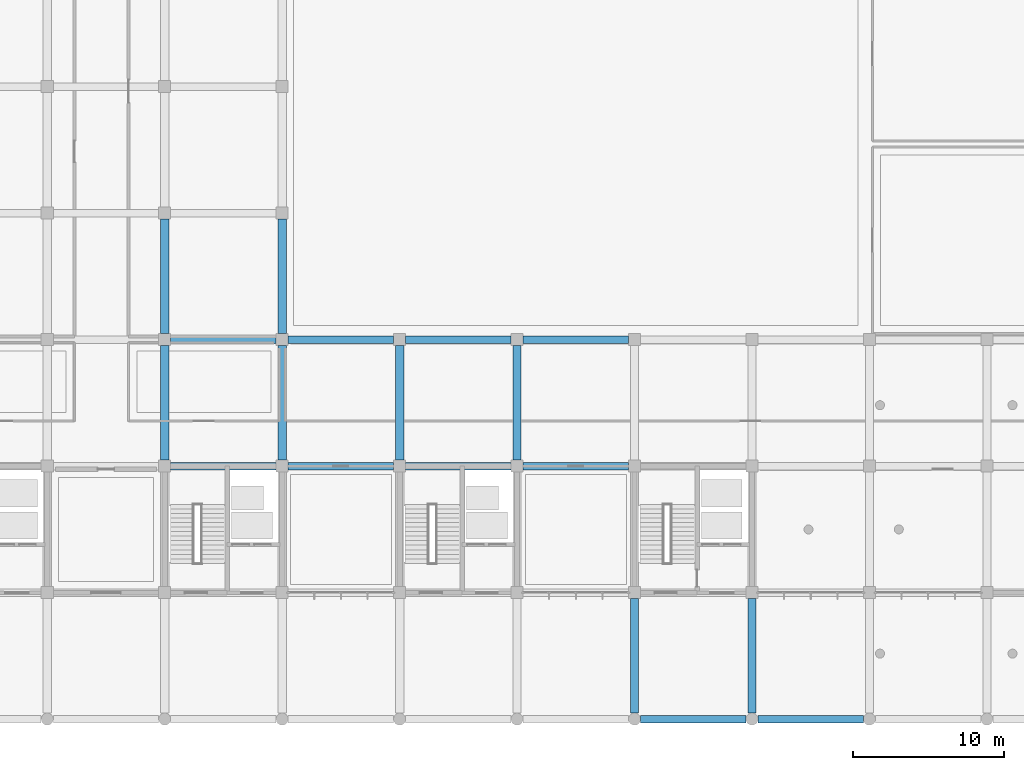
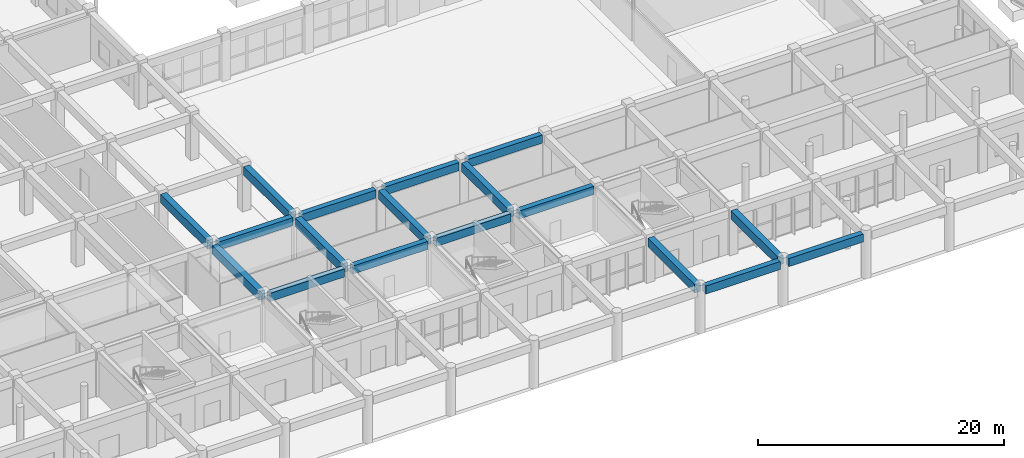
# One storey, part 17 of 139: 18 beams.
"""IFC4 building model written with IfcOpenShell, lengths in metres."""

from ifc_helpers import new_model, si_unit, direction, frame, origin, origin_2d, place, context, subcontext, project, spatial, rectangle, extrude, material, material_profile, profile_set, type_object, element, save


model = new_model("IFC4")

# Units and contexts
model_context = context("Model", 3, precision=1e-05, world=origin(), true_north=direction((0.0, 1.0)))
body_context = subcontext(model_context, "Body", "Model", "MODEL_VIEW")
ifc_project = project(units=[si_unit("LENGTHUNIT", "METRE"), si_unit("AREAUNIT", "SQUARE_METRE"), si_unit("VOLUMEUNIT", "CUBIC_METRE"), si_unit("PLANEANGLEUNIT", "RADIAN"), si_unit("MASSUNIT", "GRAM", prefix="KILO")], contexts=[model_context])

# Site, building, storey
site_placement = place(None, origin())
site = spatial("IfcSite", under=ifc_project, at=site_placement, CompositionType="ELEMENT")
building_placement = place(site_placement, origin())
building = spatial("IfcBuilding", under=site, at=building_placement, Name="Zizhar Promenade General Hospital", CompositionType="ELEMENT")
storey_placement = place(building_placement, origin())
storey = spatial("IfcBuildingStorey", under=building, at=storey_placement, Name="L00", CompositionType="ELEMENT", Elevation=0.0)

# Beams
ifc_material_1 = material(Name="Concrete C35/45", Category="concrete")
ifc_material_profile_1 = material_profile(ifc_material_1, rectangle(XDim=0.5, YDim=0.800048828125, at=origin_2d()))
ifc_profile_set_1 = profile_set([ifc_material_profile_1], Name="Concrete C35/45")
beam_type_1 = type_object("IfcBeamType", Name="BM-RC-500x800", PredefinedType="BEAM", material=ifc_profile_set_1)
for number, where, z_axis, x_axis, name in (
    (1, (62.800048828125, 16.800048828125, 4.070068359375), (1.0, 0.0, 0.0), (0.0, 1.0, 0.0), "Grid Beam X L00 (8-2)"),
    (2, (62.800048828125, 25.199951171875, 4.070068359375), (1.0, 0.0, 0.0), (0.0, 1.0, 0.0), "Grid Beam X L00 (8-3)"),
    (3, (70.60009765625, 16.800048828125, 4.070068359375), (1.0, 0.0, 0.0), (0.0, 1.0, 0.0), "Grid Beam X L00 (9-2)"),
    (4, (70.60009765625, 25.199951171875, 4.070068359375), (1.0, 0.0, 0.0), (0.0, 1.0, 0.0), "Grid Beam X L00 (9-3)"),
    (5, (78.39990234375, 16.800048828125, 4.070068359375), (1.0, 0.0, 0.0), (0.0, 1.0, 0.0), "Grid Beam X L00 (10-2)"),
    (6, (78.39990234375, 25.199951171875, 4.070068359375), (1.0, 0.0, 0.0), (0.0, 1.0, 0.0), "Grid Beam X L00 (10-3)"),
    (7, (86.199951171875, 16.800048828125, 4.070068359375), (1.0, 0.0, 0.0), (0.0, 1.0, 0.0), "Grid Beam X L00 (11-2)"),
    (8, (86.199951171875, 25.199951171875, 4.070068359375), (1.0, 0.0, 0.0), (0.0, 1.0, 0.0), "Grid Beam X L00 (11-3)"),
    (9, (94.0, 0.0, 4.070068359375), (1.0, 0.0, 0.0), (0.0, 1.0, 0.0), "Grid Beam X L00 (12-0)"),
    (10, (101.800048828125, 0.0, 4.070068359375), (1.0, 0.0, 0.0), (0.0, 1.0, 0.0), "Grid Beam X L00 (13-0)"),
):
    element("IfcBeam", number, at=place(storey_placement, frame(where, z_axis=z_axis, x_axis=x_axis)), inside=storey, type_object=beam_type_1, Name=name, PredefinedType="BEAM", context=body_context, shape_type="SweptSolid", body=[
        extrude(rectangle(XDim=0.5, YDim=0.800048828125, at=origin_2d()), origin(), (0.0, 0.0, 1.0), 7.0),
    ])
ifc_material_2 = material(Name="Concrete C35/45", Category="concrete")
ifc_material_profile_2 = material_profile(ifc_material_2, rectangle(XDim=0.550048828125, YDim=0.85009765625, at=origin_2d()))
ifc_profile_set_2 = profile_set([ifc_material_profile_2], Name="Concrete C35/45")
beam_type_2 = type_object("IfcBeamType", Name="BM-RC-550x850", PredefinedType="BEAM", material=ifc_profile_set_2)
beam_1_placement = place(storey_placement, frame((62.39990234375, 17.199951171875, 4.044921875), z_axis=(0.0, 1.0, 0.0), x_axis=(-1.0, 0.0, 0.0)))
element("IfcBeam", 11, at=beam_1_placement, inside=storey, type_object=beam_type_2, Name="Grid Beam Y L00 (8-2)", PredefinedType="BEAM", context=body_context, shape_type="SweptSolid", body=[
    extrude(rectangle(XDim=0.550048828125, YDim=0.85009765625, at=origin_2d()), origin(), (0.0, 0.0, 1.0), 7.60009765625),
])
beam_2_placement = place(storey_placement, frame((62.39990234375, 25.60009765625, 4.044921875), z_axis=(0.0, 1.0, 0.0), x_axis=(-1.0, 0.0, 0.0)))
element("IfcBeam", 12, at=beam_2_placement, inside=storey, type_object=beam_type_2, Name="Grid Beam Y L00 (8-3)", PredefinedType="BEAM", context=body_context, shape_type="SweptSolid", body=[
    extrude(rectangle(XDim=0.550048828125, YDim=0.85009765625, at=origin_2d()), origin(), (0.0, 0.0, 1.0), 7.599853515625),
])
beam_3_placement = place(storey_placement, frame((70.199951171875, 17.199951171875, 4.044921875), z_axis=(0.0, 1.0, 0.0), x_axis=(-1.0, 0.0, 0.0)))
element("IfcBeam", 13, at=beam_3_placement, inside=storey, type_object=beam_type_2, Name="Grid Beam Y L00 (9-2)", PredefinedType="BEAM", context=body_context, shape_type="SweptSolid", body=[
    extrude(rectangle(XDim=0.550048828125, YDim=0.85009765625, at=origin_2d()), origin(), (0.0, 0.0, 1.0), 7.60009765625),
])
beam_4_placement = place(storey_placement, frame((70.199951171875, 25.60009765625, 4.044921875), z_axis=(0.0, 1.0, 0.0), x_axis=(-1.0, 0.0, 0.0)))
element("IfcBeam", 14, at=beam_4_placement, inside=storey, type_object=beam_type_2, Name="Grid Beam Y L00 (9-3)", PredefinedType="BEAM", context=body_context, shape_type="SweptSolid", body=[
    extrude(rectangle(XDim=0.550048828125, YDim=0.85009765625, at=origin_2d()), origin(), (0.0, 0.0, 1.0), 7.599853515625),
])
for number, where, z_axis, x_axis, name in (
    (15, (78.0, 17.199951171875, 4.044921875), (0.0, 1.0, 0.0), (-1.0, 0.0, 0.0), "Grid Beam Y L00 (10-2)"),
    (16, (85.800048828125, 17.199951171875, 4.044921875), (0.0, 1.0, 0.0), (-1.0, 0.0, 0.0), "Grid Beam Y L00 (11-2)"),
    (17, (93.60009765625, 0.39990234375, 4.044921875), (0.0, 1.0, 0.0), (-1.0, 0.0, 0.0), "Grid Beam Y L00 (12-0)"),
    (18, (101.39990234375, 0.39990234375, 4.044921875), (0.0, 1.0, 0.0), (-1.0, 0.0, 0.0), "Grid Beam Y L00 (13-0)"),
):
    element("IfcBeam", number, at=place(storey_placement, frame(where, z_axis=z_axis, x_axis=x_axis)), inside=storey, type_object=beam_type_2, Name=name, PredefinedType="BEAM", context=body_context, shape_type="SweptSolid", body=[
        extrude(rectangle(XDim=0.550048828125, YDim=0.85009765625, at=origin_2d()), origin(), (0.0, 0.0, 1.0), 7.60009765625),
    ])

save(model, "model.ifc")
